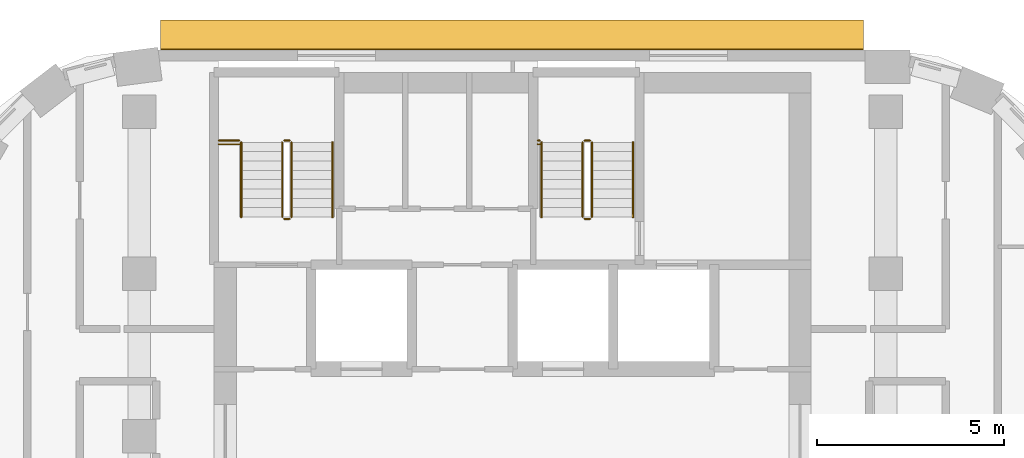
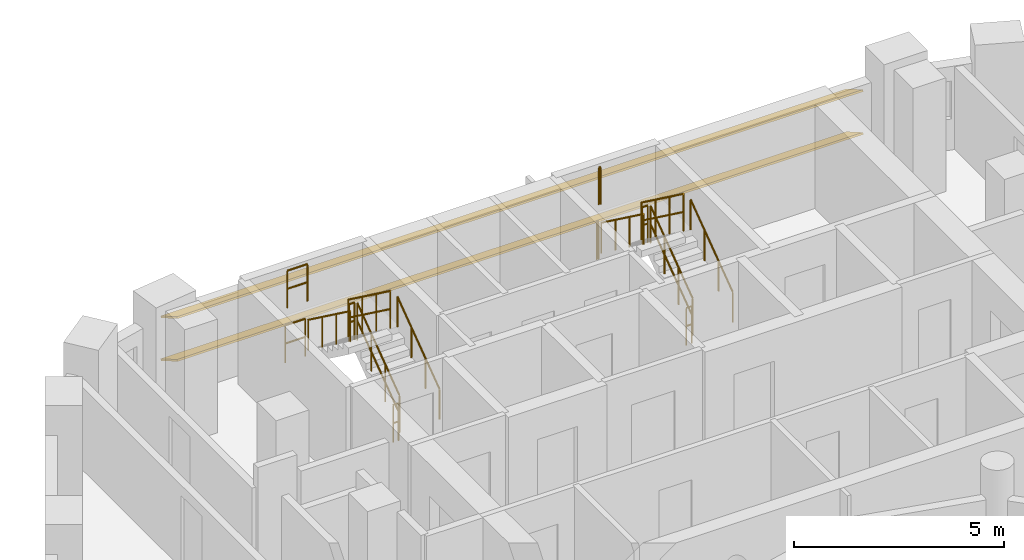
# One storey, part 17 of 18: 16 railings, 2 shading devices.
"""IFC4 building model written with IfcOpenShell, lengths in metres."""

from ifc_helpers import new_model, si_unit, direction, frame, origin, origin_2d, place, context, subcontext, project, spatial, rectangle, circle, extrude, material, material_profile, profile_set, type_object, element, save


model = new_model("IFC4")

# Units and contexts
model_context = context("Model", 3, precision=1e-05, world=origin(), true_north=direction((0.0, 1.0)))
body_context = subcontext(model_context, "Body", "Model", "MODEL_VIEW")
ifc_project = project(units=[si_unit("LENGTHUNIT", "METRE"), si_unit("AREAUNIT", "SQUARE_METRE"), si_unit("VOLUMEUNIT", "CUBIC_METRE"), si_unit("PLANEANGLEUNIT", "RADIAN"), si_unit("MASSUNIT", "GRAM", prefix="KILO")], contexts=[model_context])

# Site, building, storey
site_placement = place(None, origin())
site = spatial("IfcSite", under=ifc_project, at=site_placement, CompositionType="ELEMENT")
building_placement = place(site_placement, origin())
building = spatial("IfcBuilding", under=site, at=building_placement, Name="Nakaniwa Court", CompositionType="ELEMENT")
storey_placement = place(building_placement, frame((0.0, 0.0, 176.699951171875)))
storey = spatial("IfcBuildingStorey", under=building, at=storey_placement, Name="L45", CompositionType="ELEMENT", Elevation=176.699951171875)

# Shading devices
ifc_material_1 = material(Name="Perforated charcoal ceramic louvre blade")
ifc_material_profile = material_profile(ifc_material_1, rectangle(XDim=0.89990234375, YDim=0.050048828125, at=origin_2d()), Name="Perforated ceramic louvre blade")
ifc_profile_set = profile_set([ifc_material_profile], Name="Perforated charcoal ceramic louvre blade")
shading_device_type = type_object("IfcShadingDeviceType", Name="Perforated ceramic louvre blade", PredefinedType="JALOUSIE", material=ifc_profile_set)
for number, where, z_axis, x_axis, name in (
    (1, (89.3994140625, 103.05224609375, 0.550048828125), (-1.0, 0.0, 0.0), (0.0, -0.866025403784, 0.5), "L45 perforated ceramic louvre blade w08 1"),
    (2, (89.3994140625, 103.05224609375, 1.79345703125), (-1.0, 0.0, 0.0), (0.0, -0.866025403784, 0.5), "L45 perforated ceramic louvre blade w08 2"),
):
    element("IfcShadingDevice", number, at=place(storey_placement, frame(where, z_axis=z_axis, x_axis=x_axis)), inside=storey, type_object=shading_device_type, Name=name, PredefinedType="JALOUSIE", context=body_context, shape_type="SweptSolid", body=[
        extrude(rectangle(XDim=0.89990234375, YDim=0.050048828125, at=origin_2d()), origin(), (0.0, 0.0, 1.0), 18.8330078125),
    ])

# Railings
ifc_material_2 = material(Name="Black powder coated steel guard", Category="steel")
railing_type_1 = type_object("IfcRailingType", Name="Stair guard 1100", PredefinedType="GUARDRAIL", material=ifc_material_2)
railing_1_placement = place(storey_placement, frame((74.074951171875, 98.175048828125, 0.183349609375)))
element("IfcRailing", 3, at=railing_1_placement, inside=storey, type_object=railing_type_1, Name="L45 ST1 stair guard 1", PredefinedType="GUARDRAIL", context=body_context, shape_type="SweptSolid", body=[
    extrude(circle(Radius=0.02392578125, at=origin_2d()), frame((0.0, 0.0, 1.076171875), z_axis=(0.0, 0.806379959628, 0.591397802423), x_axis=(-1.0, 0.0, 0.0)), (0.0, 0.0, 1.0), 2.480224609375),
    extrude(circle(Radius=0.02392578125, at=origin_2d()), frame((0.0, 0.0, 0.550048828125), z_axis=(0.0, 0.806379959628, 0.591397802423), x_axis=(-1.0, 0.0, 0.0)), (0.0, 0.0, 1.0), 2.480224609375),
    extrude(circle(Radius=0.02099609375, at=origin_2d()), origin(), (0.0, 0.0, 1.0), 1.052001953125),
    extrude(circle(Radius=0.02099609375, at=origin_2d()), frame((0.0, 0.666748046875, 0.489013671875)), (0.0, 0.0, 1.0), 1.052001953125),
    extrude(circle(Radius=0.02099609375, at=origin_2d()), frame((0.0, 1.333251953125, 0.977783203125)), (0.0, 0.0, 1.0), 1.052001953125),
    extrude(circle(Radius=0.02099609375, at=origin_2d()), frame((0.0, 2.0, 1.466796875)), (0.0, 0.0, 1.0), 1.052001953125),
])
railing_2_placement = place(storey_placement, frame((74.02490234375, 100.22509765625, 1.650146484375)))
element("IfcRailing", 4, at=railing_2_placement, inside=storey, type_object=railing_type_1, Name="L45 ST1 stair guard 2", PredefinedType="GUARDRAIL", context=body_context, shape_type="SweptSolid", body=[
    extrude(circle(Radius=0.02392578125, at=origin_2d()), frame((0.0, 0.0, 1.076171875), z_axis=(-1.0, 0.0, 0.0), x_axis=(0.0, -1.0, 0.0)), (0.0, 0.0, 1.0), 0.14990234375),
    extrude(circle(Radius=0.02392578125, at=origin_2d()), frame((0.0, 0.0, 0.550048828125), z_axis=(-1.0, 0.0, 0.0), x_axis=(0.0, -1.0, 0.0)), (0.0, 0.0, 1.0), 0.14990234375),
    extrude(circle(Radius=0.02099609375, at=origin_2d()), origin(), (0.0, 0.0, 1.0), 1.052001953125),
    extrude(circle(Radius=0.02099609375, at=origin_2d()), frame((-0.14990234375, 0.0, 0.0)), (0.0, 0.0, 1.0), 1.052001953125),
])
railing_3_placement = place(storey_placement, frame((73.824951171875, 100.175048828125, 1.83349609375)))
element("IfcRailing", 5, at=railing_3_placement, inside=storey, type_object=railing_type_1, Name="L45 ST1 stair guard 3", PredefinedType="GUARDRAIL", context=body_context, shape_type="SweptSolid", body=[
    extrude(circle(Radius=0.02392578125, at=origin_2d()), frame((0.0, 0.0, 1.076171875), z_axis=(0.0, -0.806426902644, 0.591333789573), x_axis=(1.0, 0.0, 0.0)), (0.0, 0.0, 1.0), 2.47998046875),
    extrude(circle(Radius=0.02392578125, at=origin_2d()), frame((0.0, 0.0, 0.550048828125), z_axis=(0.0, -0.806426902644, 0.591333789573), x_axis=(1.0, 0.0, 0.0)), (0.0, 0.0, 1.0), 2.47998046875),
    extrude(circle(Radius=0.02099609375, at=origin_2d()), origin(), (0.0, 0.0, 1.0), 1.052001953125),
    extrude(circle(Radius=0.02099609375, at=origin_2d()), frame((0.0, -0.666748046875, 0.48876953125)), (0.0, 0.0, 1.0), 1.052001953125),
    extrude(circle(Radius=0.02099609375, at=origin_2d()), frame((0.0, -1.333251953125, 0.977783203125)), (0.0, 0.0, 1.0), 1.052001953125),
    extrude(circle(Radius=0.02099609375, at=origin_2d()), frame((0.0, -2.0, 1.466552734375)), (0.0, 0.0, 1.0), 1.052001953125),
])
railing_4_placement = place(storey_placement, frame((74.02490234375, 98.125, 0.0)))
element("IfcRailing", 6, at=railing_4_placement, inside=storey, type_object=railing_type_1, Name="L45 ST1 stair guard 4", PredefinedType="GUARDRAIL", context=body_context, shape_type="SweptSolid", body=[
    extrude(circle(Radius=0.02392578125, at=origin_2d()), frame((0.0, 0.0, 1.076171875), z_axis=(-1.0, 0.0, 0.0), x_axis=(0.0, -1.0, 0.0)), (0.0, 0.0, 1.0), 0.14990234375),
    extrude(circle(Radius=0.02392578125, at=origin_2d()), frame((0.0, 0.0, 0.550048828125), z_axis=(-1.0, 0.0, 0.0), x_axis=(0.0, -1.0, 0.0)), (0.0, 0.0, 1.0), 0.14990234375),
    extrude(circle(Radius=0.02099609375, at=origin_2d()), origin(), (0.0, 0.0, 1.0), 1.052001953125),
    extrude(circle(Radius=0.02099609375, at=origin_2d()), frame((-0.14990234375, 0.0, 0.0)), (0.0, 0.0, 1.0), 1.052001953125),
])
for number, where, name in (
    (7, (72.125, 100.22509765625, 1.650146484375), "L45 ST1 landing side guard 1W"),
    (8, (72.125, 100.125, 3.300048828125), "L45 ST1 floor edge guard 1W"),
):
    element("IfcRailing", number, at=place(storey_placement, frame(where)), inside=storey, type_object=railing_type_1, Name=name, PredefinedType="GUARDRAIL", context=body_context, shape_type="SweptSolid", body=[
        extrude(circle(Radius=0.02392578125, at=origin_2d()), frame((0.0, 0.0, 1.076171875), z_axis=(1.0, 0.0, 0.0), x_axis=(0.0, 1.0, 0.0)), (0.0, 0.0, 1.0), 0.550048828125),
        extrude(circle(Radius=0.02392578125, at=origin_2d()), frame((0.0, 0.0, 0.550048828125), z_axis=(1.0, 0.0, 0.0), x_axis=(0.0, 1.0, 0.0)), (0.0, 0.0, 1.0), 0.550048828125),
        extrude(circle(Radius=0.02099609375, at=origin_2d()), origin(), (0.0, 0.0, 1.0), 1.052001953125),
        extrude(circle(Radius=0.02099609375, at=origin_2d()), frame((0.550048828125, 0.0, 0.0)), (0.0, 0.0, 1.0), 1.052001953125),
    ])
railing_5_placement = place(storey_placement, frame((82.125, 98.175048828125, 0.183349609375)))
element("IfcRailing", 9, at=railing_5_placement, inside=storey, type_object=railing_type_1, Name="L45 ST2 stair guard 1", PredefinedType="GUARDRAIL", context=body_context, shape_type="SweptSolid", body=[
    extrude(circle(Radius=0.02392578125, at=origin_2d()), frame((0.0, 0.0, 1.076171875), z_axis=(0.0, 0.806379959628, 0.591397802423), x_axis=(-1.0, 0.0, 0.0)), (0.0, 0.0, 1.0), 2.480224609375),
    extrude(circle(Radius=0.02392578125, at=origin_2d()), frame((0.0, 0.0, 0.550048828125), z_axis=(0.0, 0.806379959628, 0.591397802423), x_axis=(-1.0, 0.0, 0.0)), (0.0, 0.0, 1.0), 2.480224609375),
    extrude(circle(Radius=0.02099609375, at=origin_2d()), origin(), (0.0, 0.0, 1.0), 1.052001953125),
    extrude(circle(Radius=0.02099609375, at=origin_2d()), frame((0.0, 0.666748046875, 0.489013671875)), (0.0, 0.0, 1.0), 1.052001953125),
    extrude(circle(Radius=0.02099609375, at=origin_2d()), frame((0.0, 1.333251953125, 0.977783203125)), (0.0, 0.0, 1.0), 1.052001953125),
    extrude(circle(Radius=0.02099609375, at=origin_2d()), frame((0.0, 2.0, 1.466796875)), (0.0, 0.0, 1.0), 1.052001953125),
])
railing_6_placement = place(storey_placement, frame((82.074951171875, 100.22509765625, 1.650146484375)))
element("IfcRailing", 10, at=railing_6_placement, inside=storey, type_object=railing_type_1, Name="L45 ST2 stair guard 2", PredefinedType="GUARDRAIL", context=body_context, shape_type="SweptSolid", body=[
    extrude(circle(Radius=0.02392578125, at=origin_2d()), frame((0.0, 0.0, 1.076171875), z_axis=(-1.0, 0.0, 0.0), x_axis=(0.0, -1.0, 0.0)), (0.0, 0.0, 1.0), 0.14990234375),
    extrude(circle(Radius=0.02392578125, at=origin_2d()), frame((0.0, 0.0, 0.550048828125), z_axis=(-1.0, 0.0, 0.0), x_axis=(0.0, -1.0, 0.0)), (0.0, 0.0, 1.0), 0.14990234375),
    extrude(circle(Radius=0.02099609375, at=origin_2d()), origin(), (0.0, 0.0, 1.0), 1.052001953125),
    extrude(circle(Radius=0.02099609375, at=origin_2d()), frame((-0.14990234375, 0.0, 0.0)), (0.0, 0.0, 1.0), 1.052001953125),
])
railing_7_placement = place(storey_placement, frame((81.875, 100.175048828125, 1.83349609375)))
element("IfcRailing", 11, at=railing_7_placement, inside=storey, type_object=railing_type_1, Name="L45 ST2 stair guard 3", PredefinedType="GUARDRAIL", context=body_context, shape_type="SweptSolid", body=[
    extrude(circle(Radius=0.02392578125, at=origin_2d()), frame((0.0, 0.0, 1.076171875), z_axis=(0.0, -0.806426902644, 0.591333789573), x_axis=(1.0, 0.0, 0.0)), (0.0, 0.0, 1.0), 2.47998046875),
    extrude(circle(Radius=0.02392578125, at=origin_2d()), frame((0.0, 0.0, 0.550048828125), z_axis=(0.0, -0.806426902644, 0.591333789573), x_axis=(1.0, 0.0, 0.0)), (0.0, 0.0, 1.0), 2.47998046875),
    extrude(circle(Radius=0.02099609375, at=origin_2d()), origin(), (0.0, 0.0, 1.0), 1.052001953125),
    extrude(circle(Radius=0.02099609375, at=origin_2d()), frame((0.0, -0.666748046875, 0.48876953125)), (0.0, 0.0, 1.0), 1.052001953125),
    extrude(circle(Radius=0.02099609375, at=origin_2d()), frame((0.0, -1.333251953125, 0.977783203125)), (0.0, 0.0, 1.0), 1.052001953125),
    extrude(circle(Radius=0.02099609375, at=origin_2d()), frame((0.0, -2.0, 1.466552734375)), (0.0, 0.0, 1.0), 1.052001953125),
])
railing_8_placement = place(storey_placement, frame((82.074951171875, 98.125, 0.0)))
element("IfcRailing", 12, at=railing_8_placement, inside=storey, type_object=railing_type_1, Name="L45 ST2 stair guard 4", PredefinedType="GUARDRAIL", context=body_context, shape_type="SweptSolid", body=[
    extrude(circle(Radius=0.02392578125, at=origin_2d()), frame((0.0, 0.0, 1.076171875), z_axis=(-1.0, 0.0, 0.0), x_axis=(0.0, -1.0, 0.0)), (0.0, 0.0, 1.0), 0.14990234375),
    extrude(circle(Radius=0.02392578125, at=origin_2d()), frame((0.0, 0.0, 0.550048828125), z_axis=(-1.0, 0.0, 0.0), x_axis=(0.0, -1.0, 0.0)), (0.0, 0.0, 1.0), 0.14990234375),
    extrude(circle(Radius=0.02099609375, at=origin_2d()), origin(), (0.0, 0.0, 1.0), 1.052001953125),
    extrude(circle(Radius=0.02099609375, at=origin_2d()), frame((-0.14990234375, 0.0, 0.0)), (0.0, 0.0, 1.0), 1.052001953125),
])
for number, where, name in (
    (13, (80.675048828125, 100.22509765625, 1.650146484375), "L45 ST2 landing side guard 1W"),
    (14, (80.675048828125, 100.125, 3.300048828125), "L45 ST2 floor edge guard 1W"),
):
    element("IfcRailing", number, at=place(storey_placement, frame(where)), inside=storey, type_object=railing_type_1, Name=name, PredefinedType="GUARDRAIL", context=body_context, shape_type="SweptSolid", body=[
        extrude(circle(Radius=0.02392578125, at=origin_2d()), frame((0.0, 0.0, 1.076171875), z_axis=(1.0, 0.0, 0.0), x_axis=(0.0, 1.0, 0.0)), (0.0, 0.0, 1.0), 0.050048828125),
        extrude(circle(Radius=0.02392578125, at=origin_2d()), frame((0.0, 0.0, 0.550048828125), z_axis=(1.0, 0.0, 0.0), x_axis=(0.0, 1.0, 0.0)), (0.0, 0.0, 1.0), 0.050048828125),
        extrude(circle(Radius=0.02099609375, at=origin_2d()), origin(), (0.0, 0.0, 1.0), 1.052001953125),
        extrude(circle(Radius=0.02099609375, at=origin_2d()), frame((0.050048828125, 0.0, 0.0)), (0.0, 0.0, 1.0), 1.052001953125),
    ])
ifc_material_3 = material(Name="Black powder coated steel handrail", Category="steel")
railing_type_2 = type_object("IfcRailingType", Name="Stair handrail 900", PredefinedType="HANDRAIL", material=ifc_material_3)
railing_9_placement = place(storey_placement, frame((75.175048828125, 98.175048828125, 0.183349609375)))
element("IfcRailing", 15, at=railing_9_placement, inside=storey, type_object=railing_type_2, Name="L45 ST1 stair handrail 1", PredefinedType="HANDRAIL", context=body_context, shape_type="SweptSolid", body=[
    extrude(circle(Radius=0.02392578125, at=origin_2d()), frame((0.0, 0.0, 0.8759765625), z_axis=(0.0, 0.806379959628, 0.591397802423), x_axis=(-1.0, 0.0, 0.0)), (0.0, 0.0, 1.0), 2.480224609375),
    extrude(circle(Radius=0.02099609375, at=origin_2d()), origin(), (0.0, 0.0, 1.0), 0.851806640625),
    extrude(circle(Radius=0.02099609375, at=origin_2d()), frame((0.0, 0.666748046875, 0.489013671875)), (0.0, 0.0, 1.0), 0.851806640625),
    extrude(circle(Radius=0.02099609375, at=origin_2d()), frame((0.0, 1.333251953125, 0.977783203125)), (0.0, 0.0, 1.0), 0.851806640625),
    extrude(circle(Radius=0.02099609375, at=origin_2d()), frame((0.0, 2.0, 1.466796875)), (0.0, 0.0, 1.0), 0.851806640625),
])
railing_10_placement = place(storey_placement, frame((72.72509765625, 100.175048828125, 1.83349609375)))
element("IfcRailing", 16, at=railing_10_placement, inside=storey, type_object=railing_type_2, Name="L45 ST1 stair handrail 2", PredefinedType="HANDRAIL", context=body_context, shape_type="SweptSolid", body=[
    extrude(circle(Radius=0.02392578125, at=origin_2d()), frame((0.0, 0.0, 0.8759765625), z_axis=(0.0, -0.806426902644, 0.591333789573), x_axis=(1.0, 0.0, 0.0)), (0.0, 0.0, 1.0), 2.47998046875),
    extrude(circle(Radius=0.02099609375, at=origin_2d()), origin(), (0.0, 0.0, 1.0), 0.851806640625),
    extrude(circle(Radius=0.02099609375, at=origin_2d()), frame((0.0, -0.666748046875, 0.48876953125)), (0.0, 0.0, 1.0), 0.851806640625),
    extrude(circle(Radius=0.02099609375, at=origin_2d()), frame((0.0, -1.333251953125, 0.977783203125)), (0.0, 0.0, 1.0), 0.851806640625),
    extrude(circle(Radius=0.02099609375, at=origin_2d()), frame((0.0, -2.0, 1.466552734375)), (0.0, 0.0, 1.0), 0.851806640625),
])
railing_11_placement = place(storey_placement, frame((83.22509765625, 98.175048828125, 0.183349609375)))
element("IfcRailing", 17, at=railing_11_placement, inside=storey, type_object=railing_type_2, Name="L45 ST2 stair handrail 1", PredefinedType="HANDRAIL", context=body_context, shape_type="SweptSolid", body=[
    extrude(circle(Radius=0.02392578125, at=origin_2d()), frame((0.0, 0.0, 0.8759765625), z_axis=(0.0, 0.806379959628, 0.591397802423), x_axis=(-1.0, 0.0, 0.0)), (0.0, 0.0, 1.0), 2.480224609375),
    extrude(circle(Radius=0.02099609375, at=origin_2d()), origin(), (0.0, 0.0, 1.0), 0.851806640625),
    extrude(circle(Radius=0.02099609375, at=origin_2d()), frame((0.0, 0.666748046875, 0.489013671875)), (0.0, 0.0, 1.0), 0.851806640625),
    extrude(circle(Radius=0.02099609375, at=origin_2d()), frame((0.0, 1.333251953125, 0.977783203125)), (0.0, 0.0, 1.0), 0.851806640625),
    extrude(circle(Radius=0.02099609375, at=origin_2d()), frame((0.0, 2.0, 1.466796875)), (0.0, 0.0, 1.0), 0.851806640625),
])
railing_12_placement = place(storey_placement, frame((80.77490234375, 100.175048828125, 1.83349609375)))
element("IfcRailing", 18, at=railing_12_placement, inside=storey, type_object=railing_type_2, Name="L45 ST2 stair handrail 2", PredefinedType="HANDRAIL", context=body_context, shape_type="SweptSolid", body=[
    extrude(circle(Radius=0.02392578125, at=origin_2d()), frame((0.0, 0.0, 0.8759765625), z_axis=(0.0, -0.806426902644, 0.591333789573), x_axis=(1.0, 0.0, 0.0)), (0.0, 0.0, 1.0), 2.47998046875),
    extrude(circle(Radius=0.02099609375, at=origin_2d()), origin(), (0.0, 0.0, 1.0), 0.851806640625),
    extrude(circle(Radius=0.02099609375, at=origin_2d()), frame((0.0, -0.666748046875, 0.48876953125)), (0.0, 0.0, 1.0), 0.851806640625),
    extrude(circle(Radius=0.02099609375, at=origin_2d()), frame((0.0, -1.333251953125, 0.977783203125)), (0.0, 0.0, 1.0), 0.851806640625),
    extrude(circle(Radius=0.02099609375, at=origin_2d()), frame((0.0, -2.0, 1.466552734375)), (0.0, 0.0, 1.0), 0.851806640625),
])

save(model, "model.ifc")
